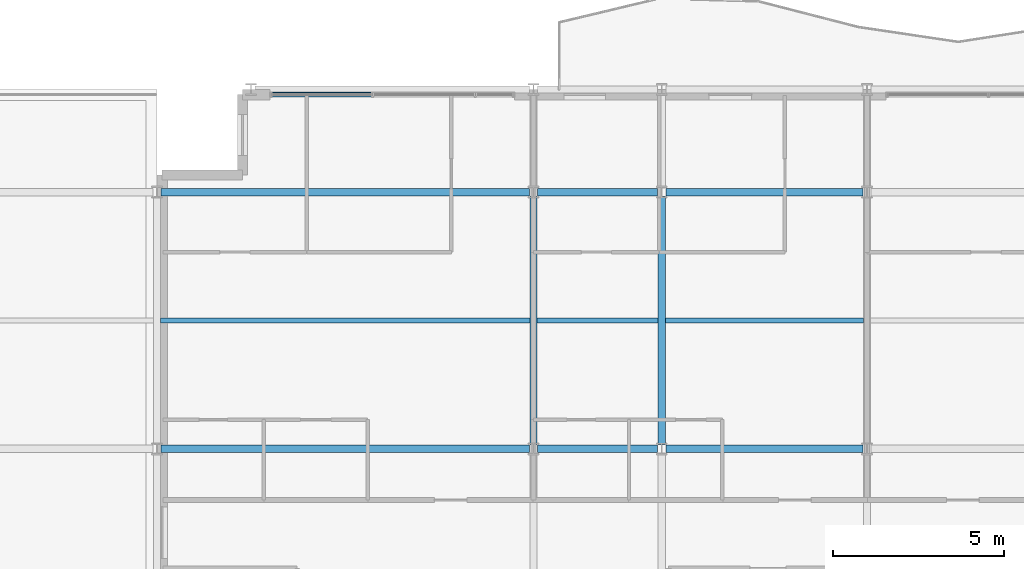
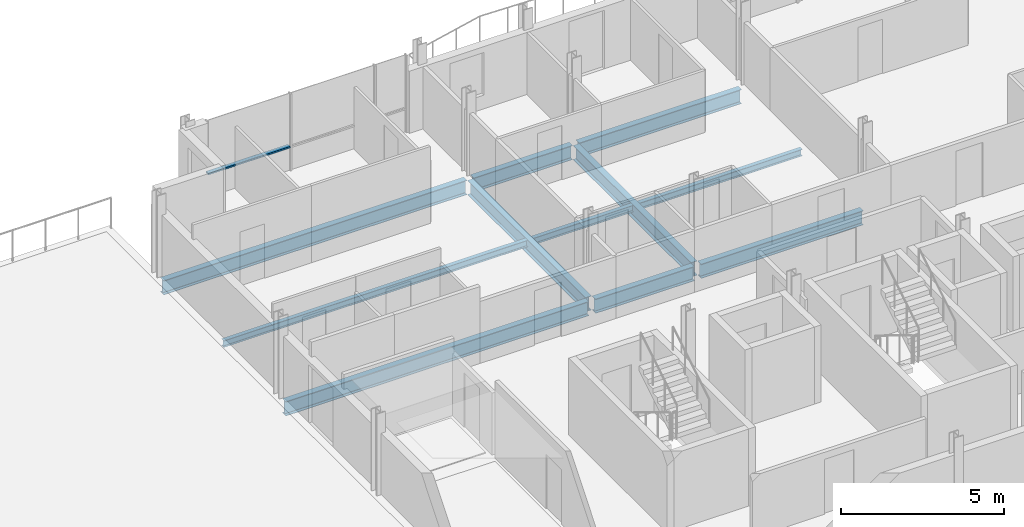
# One storey, part 6 of 17: 11 beams, 1 member, 1 element without a shape of its own.
"""IFC4 building model written with IfcOpenShell, lengths in metres."""

from ifc_helpers import new_model, si_unit, direction, frame, origin, origin_2d, place, context, subcontext, project, spatial, hollow_rectangle, i_section, extrude, material, layer, layer_set, material_profile, profile_set, type_object, element, aggregate, save


model = new_model("IFC4")

# Units and contexts
model_context = context("Model", 3, precision=1e-05, world=origin(), true_north=direction((0.0, 1.0)))
body_context = subcontext(model_context, "Body", "Model", "MODEL_VIEW")
ifc_project = project(units=[si_unit("LENGTHUNIT", "METRE"), si_unit("AREAUNIT", "SQUARE_METRE"), si_unit("VOLUMEUNIT", "CUBIC_METRE"), si_unit("PLANEANGLEUNIT", "RADIAN"), si_unit("MASSUNIT", "GRAM", prefix="KILO")], contexts=[model_context])

# Site, building, storey
site_placement = place(None, origin())
site = spatial("IfcSite", under=ifc_project, at=site_placement, CompositionType="ELEMENT")
building_placement = place(site_placement, origin())
building = spatial("IfcBuilding", under=site, at=building_placement, Name="Brevholm Reach", CompositionType="ELEMENT")
storey_placement = place(building_placement, frame((0.0, 0.0, 221.10009765625)))
storey = spatial("IfcBuildingStorey", under=building, at=storey_placement, Name="L67", CompositionType="ELEMENT", Elevation=221.10009765625)

# Beams
ifc_material_1 = material(Name="Structural Steel S355J2", Category="steel")
ifc_material_profile_1 = material_profile(ifc_material_1, i_section(OverallWidth=0.14599609375, OverallDepth=0.25146484375, WebThickness=0.006103515625, FlangeThickness=0.008544921875, FilletRadius=0.007568359375, at=origin_2d()), Name="UKB 254x146x31")
ifc_profile_set_1 = profile_set([ifc_material_profile_1], Name="Structural Steel S355J2")
beam_type_1 = type_object("IfcBeamType", Name="BM-B254", PredefinedType="BEAM", material=ifc_profile_set_1)
beam_1_placement = place(storey_placement, frame((27.354736328125, 19.75, -0.335693359375), z_axis=(1.0, 0.0, 0.0), x_axis=(0.0, 1.0, 0.0)))
element("IfcBeam", 1, at=beam_1_placement, inside=storey, type_object=beam_type_1, Name="L67 Composite Secondary Floor Beam", PredefinedType="BEAM", context=body_context, shape_type="SweptSolid", body=[
    extrude(i_section(OverallWidth=0.14599609375, OverallDepth=0.25146484375, WebThickness=0.006103515625, FlangeThickness=0.008544921875, FilletRadius=0.007568359375, at=origin_2d()), origin(), (0.0, 0.0, 1.0), 10.789794921875),
])
beam_2_placement = place(storey_placement, frame((38.35546875, 19.75, -0.335693359375), z_axis=(1.0, 0.0, 0.0), x_axis=(0.0, 1.0, 0.0)))
element("IfcBeam", 2, at=beam_2_placement, inside=storey, type_object=beam_type_1, Name="L67 Composite Secondary Floor Beam", PredefinedType="BEAM", context=body_context, shape_type="SweptSolid", body=[
    extrude(i_section(OverallWidth=0.14599609375, OverallDepth=0.25146484375, WebThickness=0.006103515625, FlangeThickness=0.008544921875, FilletRadius=0.007568359375, at=origin_2d()), origin(), (0.0, 0.0, 1.0), 3.5390625),
])
beam_3_placement = place(storey_placement, frame((42.10546875, 19.75, -0.335693359375), z_axis=(1.0, 0.0, 0.0), x_axis=(0.0, 1.0, 0.0)))
element("IfcBeam", 3, at=beam_3_placement, inside=storey, type_object=beam_type_1, Name="L67 Composite Secondary Floor Beam", PredefinedType="BEAM", context=body_context, shape_type="SweptSolid", body=[
    extrude(i_section(OverallWidth=0.14599609375, OverallDepth=0.25146484375, WebThickness=0.006103515625, FlangeThickness=0.008544921875, FilletRadius=0.007568359375, at=origin_2d()), origin(), (0.0, 0.0, 1.0), 5.7890625),
])
ifc_material_2 = material(Name="Structural Steel S355J2", Category="steel")
ifc_material_profile_2 = material_profile(ifc_material_2, i_section(OverallWidth=0.210693359375, OverallDepth=0.53955078125, WebThickness=0.01171875, FlangeThickness=0.018798828125, FilletRadius=0.0126953125, at=origin_2d()), Name="UKB 533x210x109")
ifc_profile_set_2 = profile_set([ifc_material_profile_2], Name="Structural Steel S355J2")
beam_type_2 = type_object("IfcBeamType", Name="BM-SP539", PredefinedType="SPANDREL", material=ifc_profile_set_2)
beam_4_placement = place(storey_placement, frame((27.3701171875, 16.0, -0.479736328125), z_axis=(1.0, 0.0, 0.0), x_axis=(0.0, 1.0, 0.0)))
element("IfcBeam", 4, at=beam_4_placement, inside=storey, type_object=beam_type_2, Name="L67 SP-01B Framing Beam", PredefinedType="SPANDREL", context=body_context, shape_type="SweptSolid", body=[
    extrude(i_section(OverallWidth=0.210693359375, OverallDepth=0.53955078125, WebThickness=0.01171875, FlangeThickness=0.018798828125, FilletRadius=0.0126953125, at=origin_2d()), origin(), (0.0, 0.0, 1.0), 10.759765625),
])
beam_5_placement = place(storey_placement, frame((38.3701171875, 16.0, -0.479736328125), z_axis=(1.0, 0.0, 0.0), x_axis=(0.0, 1.0, 0.0)))
element("IfcBeam", 5, at=beam_5_placement, inside=storey, type_object=beam_type_2, Name="L67 SP-01B Framing Beam", PredefinedType="SPANDREL", context=body_context, shape_type="SweptSolid", body=[
    extrude(i_section(OverallWidth=0.210693359375, OverallDepth=0.53955078125, WebThickness=0.01171875, FlangeThickness=0.018798828125, FilletRadius=0.0126953125, at=origin_2d()), origin(), (0.0, 0.0, 1.0), 3.509765625),
])
beam_6_placement = place(storey_placement, frame((42.1201171875, 16.0, -0.479736328125), z_axis=(1.0, 0.0, 0.0), x_axis=(0.0, 1.0, 0.0)))
element("IfcBeam", 6, at=beam_6_placement, inside=storey, type_object=beam_type_2, Name="L67 SP-01B Framing Beam", PredefinedType="SPANDREL", context=body_context, shape_type="SweptSolid", body=[
    extrude(i_section(OverallWidth=0.210693359375, OverallDepth=0.53955078125, WebThickness=0.01171875, FlangeThickness=0.018798828125, FilletRadius=0.0126953125, at=origin_2d()), origin(), (0.0, 0.0, 1.0), 5.759765625),
])
beam_7_placement = place(storey_placement, frame((27.3701171875, 23.5, -0.479736328125), z_axis=(1.0, 0.0, 0.0), x_axis=(0.0, 1.0, 0.0)))
element("IfcBeam", 7, at=beam_7_placement, inside=storey, type_object=beam_type_2, Name="L67 SP-01B Framing Beam", PredefinedType="SPANDREL", context=body_context, shape_type="SweptSolid", body=[
    extrude(i_section(OverallWidth=0.210693359375, OverallDepth=0.53955078125, WebThickness=0.01171875, FlangeThickness=0.018798828125, FilletRadius=0.0126953125, at=origin_2d()), origin(), (0.0, 0.0, 1.0), 10.759765625),
])
beam_8_placement = place(storey_placement, frame((38.3701171875, 23.5, -0.479736328125), z_axis=(1.0, 0.0, 0.0), x_axis=(0.0, 1.0, 0.0)))
element("IfcBeam", 8, at=beam_8_placement, inside=storey, type_object=beam_type_2, Name="L67 SP-01B Framing Beam", PredefinedType="SPANDREL", context=body_context, shape_type="SweptSolid", body=[
    extrude(i_section(OverallWidth=0.210693359375, OverallDepth=0.53955078125, WebThickness=0.01171875, FlangeThickness=0.018798828125, FilletRadius=0.0126953125, at=origin_2d()), origin(), (0.0, 0.0, 1.0), 3.509765625),
])
beam_9_placement = place(storey_placement, frame((42.1201171875, 23.5, -0.479736328125), z_axis=(1.0, 0.0, 0.0), x_axis=(0.0, 1.0, 0.0)))
element("IfcBeam", 9, at=beam_9_placement, inside=storey, type_object=beam_type_2, Name="L67 SP-01B Framing Beam", PredefinedType="SPANDREL", context=body_context, shape_type="SweptSolid", body=[
    extrude(i_section(OverallWidth=0.210693359375, OverallDepth=0.53955078125, WebThickness=0.01171875, FlangeThickness=0.018798828125, FilletRadius=0.0126953125, at=origin_2d()), origin(), (0.0, 0.0, 1.0), 5.759765625),
])
for number, where, z_axis, x_axis, name in (
    (10, (38.25, 16.1201171875, -0.479736328125), (0.0, 1.0, 0.0), (-1.0, 0.0, 0.0), "L67 SP-01B Framing Beam"),
    (11, (42.0, 16.1201171875, -0.479736328125), (0.0, 1.0, 0.0), (-1.0, 0.0, 0.0), "L67 SP-01B Framing Beam"),
):
    element("IfcBeam", number, at=place(storey_placement, frame(where, z_axis=z_axis, x_axis=x_axis)), inside=storey, type_object=beam_type_2, Name=name, PredefinedType="SPANDREL", context=body_context, shape_type="SweptSolid", body=[
        extrude(i_section(OverallWidth=0.210693359375, OverallDepth=0.53955078125, WebThickness=0.01171875, FlangeThickness=0.018798828125, FilletRadius=0.0126953125, at=origin_2d()), origin(), (0.0, 0.0, 1.0), 7.259765625),
    ])

# Curtain wall, member
ifc_material_3 = material(Name="Dark Anodised Aluminium 6063-T6 and Solar-Control Glass", Category="aluminium")
ifc_layer = layer(ifc_material_3, 0.14990234375)
ifc_layer_set = layer_set([ifc_layer], Name="Dark Anodised Aluminium 6063-T6 and Solar-Control Glass")
curtain_wall_type = type_object("IfcCurtainWallType", Name="CW-01", PredefinedType="NOTDEFINED", material=ifc_layer_set)
curtain_wall_placement = place(storey_placement, origin())
curtain_wall = element("IfcCurtainWall", 12, at=curtain_wall_placement, inside=storey, type_object=curtain_wall_type, Name="L67 Curtain Wall CW-01", PredefinedType="NOTDEFINED")
ifc_material_4 = material(Name="Dark Anodised Aluminium 6063-T6", Category="aluminium")
ifc_material_profile_3 = material_profile(ifc_material_4, hollow_rectangle(XDim=0.06494140625, YDim=0.14990234375, WallThickness=0.0048828125, InnerFilletRadius=0.0048828125, OuterFilletRadius=0.010009765625, at=origin_2d()), Name="RHS 150x65x5")
ifc_profile_set_3 = profile_set([ifc_material_profile_3], Name="Dark Anodised Aluminium 6063-T6")
member_type = type_object("IfcMemberType", Name="CWT-150", PredefinedType="NOTDEFINED", material=ifc_profile_set_3)
member_placement = place(storey_placement, frame((30.614990234375, 26.35009765625, 0.89990234375), z_axis=(1.0, 0.0, 0.0), x_axis=(0.0, 0.0, 1.0)))
member = element("IfcMember", 13, at=member_placement, type_object=member_type, Name="CT-150 Transom 1.1", ObjectType="TRANSOM", PredefinedType="USERDEFINED", context=body_context, shape_type="SweptSolid", body=[
    extrude(hollow_rectangle(XDim=0.06494140625, YDim=0.14990234375, WallThickness=0.0048828125, InnerFilletRadius=0.0048828125, OuterFilletRadius=0.010009765625, at=origin_2d()), origin(), (0.0, 0.0, 1.0), 2.902587890625),
])
aggregate(curtain_wall, [member])

save(model, "model.ifc")
